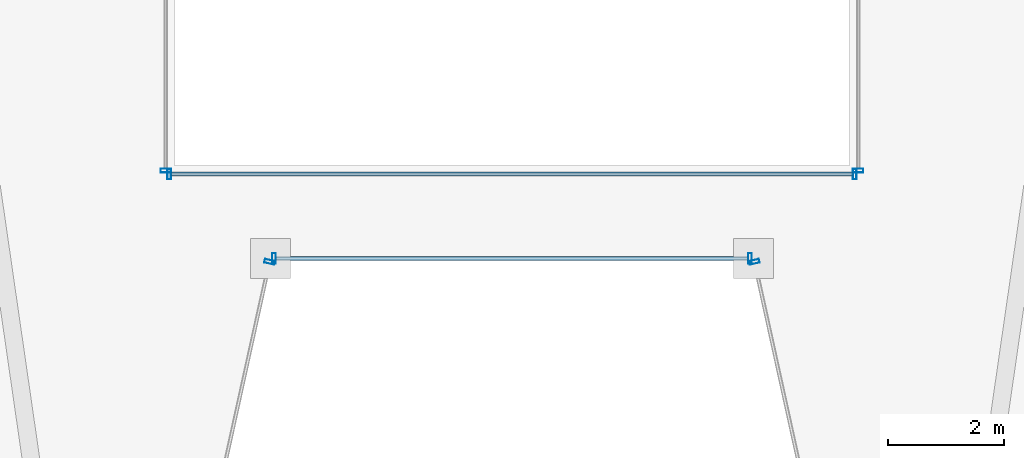
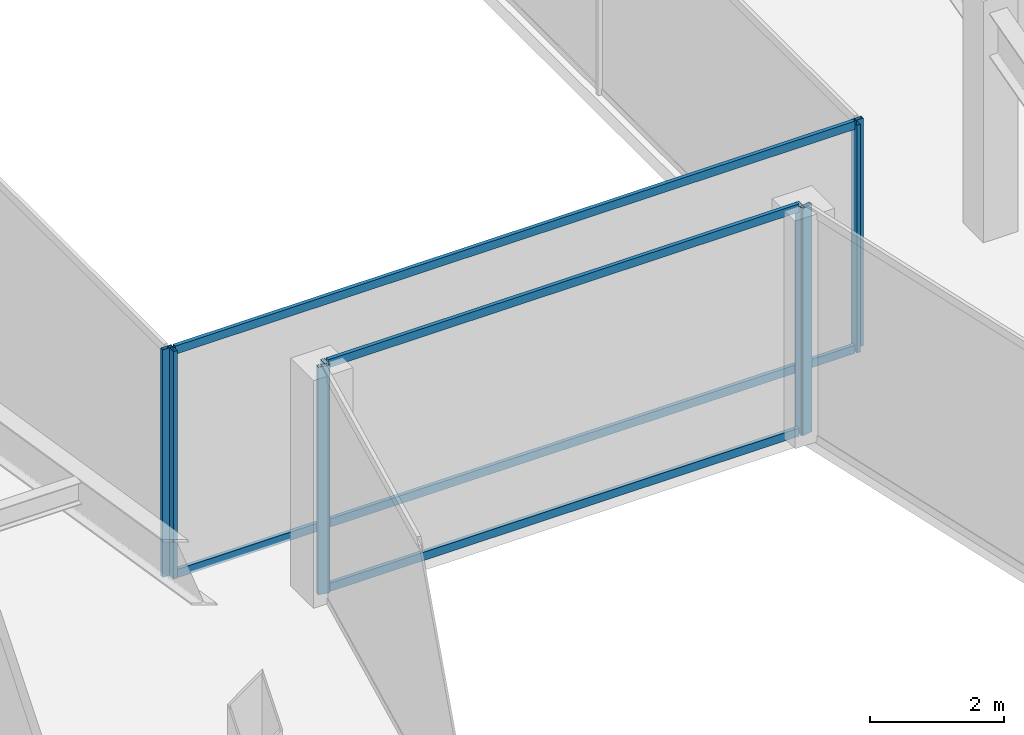
# One storey, part 7 of 37: 12 members, 6 elements without a shape of their own.
"""IFC4 building model written with IfcOpenShell, lengths in metres."""

import ifcopenshell
import ifcopenshell.guid

model = None  # the IFC model being written
_history = None  # IfcOwnerHistory: only IFC2X3 demands one
_inside = {}  # id of a spatial element -> (the spatial element, [elements in it])
_under = {}  # id of a project, library or spatial element -> (it, [spatial elements below it])
_declared = {}  # id of a project -> (the project, [libraries it declares])
_typed = {}  # id of a type object -> (the type object, [elements of that type])
_made_of = {}  # id of a material, layer set ... -> (it, [elements and type objects made of it])


def new_model(schema):
    """Start an empty IFC model of exactly this schema.

    Asked for "IFC4X3", IfcOpenShell would pick the latest addendum, in which some entities
    have other attributes; the version numbers below select the first issue.
    IFC2X3 requires an IfcOwnerHistory on every rooted entity: one is made here for all.
    """
    global model, _history
    if schema == "IFC4X3":
        model = ifcopenshell.file(schema_version=(4, 3, 0, 0))
    else:
        model = ifcopenshell.file(schema=schema)
    _inside.clear()
    _under.clear()
    _declared.clear()
    _typed.clear()
    _made_of.clear()
    _history = None
    if model.schema == "IFC2X3":
        org = make("IfcOrganization", Name="unknown")
        user = make(
            "IfcPersonAndOrganization",
            ThePerson=make("IfcPerson", FamilyName="unknown"),
            TheOrganization=org,
        )
        app = make(
            "IfcApplication",
            ApplicationDeveloper=org,
            Version="unknown",
            ApplicationFullName="unknown",
            ApplicationIdentifier="unknown",
        )
        _history = make(
            "IfcOwnerHistory",
            OwningUser=user,
            OwningApplication=app,
            ChangeAction="ADDED",
            CreationDate=0,
        )
    return model


def make(cls, **values):
    """One entity of the class cls with the attributes given. An attribute that is None is left unset."""
    return model.create_entity(
        cls, **{name: value for name, value in values.items() if value is not None}
    )


def rooted(cls, **values):
    """An entity with a GlobalId (a new one), such as an element, a storey or a relation."""
    return make(cls, GlobalId=ifcopenshell.guid.new(), OwnerHistory=_history, **values)


def si_unit(unit_type, name, prefix=None):
    """IfcSIUnit, for example si_unit("LENGTHUNIT", "METRE", prefix="MILLI")."""
    return make("IfcSIUnit", UnitType=unit_type, Prefix=prefix, Name=name)


def assignment(units):
    """IfcUnitAssignment: the units of a project."""
    return None if units is None else make("IfcUnitAssignment", Units=units)


def point(xyz):
    """IfcCartesianPoint."""
    return None if xyz is None else make("IfcCartesianPoint", Coordinates=xyz)


def direction(xyz):
    """IfcDirection."""
    return None if xyz is None else make("IfcDirection", DirectionRatios=xyz)


def frame(location, z_axis=None, x_axis=None):
    """IfcAxis2Placement3D, a coordinate frame: its origin and axes. An axis left out is left unset."""
    return make(
        "IfcAxis2Placement3D",
        Location=point(location),
        Axis=direction(z_axis),
        RefDirection=direction(x_axis),
    )


def frame_2d(location, x_axis=None):
    """IfcAxis2Placement2D, a coordinate frame in the plane: its origin and x axis."""
    return make(
        "IfcAxis2Placement2D", Location=point(location), RefDirection=direction(x_axis)
    )


def origin():
    """The frame at (0, 0, 0) with its axes left unset."""
    return frame((0.0, 0.0, 0.0))


def origin_2d():
    """The frame at (0, 0) in the plane with its x axis left unset."""
    return frame_2d((0.0, 0.0))


def place(relative_to, where):
    """IfcLocalPlacement: puts the frame where relative to a parent placement (None: the world)."""
    return make(
        "IfcLocalPlacement", PlacementRelTo=relative_to, RelativePlacement=where
    )


def context(
    kind, dimensions, precision=None, world=None, true_north=None, identifier=None
):
    """IfcGeometricRepresentationContext, for example the 3D "Model" context."""
    return make(
        "IfcGeometricRepresentationContext",
        ContextIdentifier=identifier,
        ContextType=kind,
        CoordinateSpaceDimension=dimensions,
        Precision=precision,
        WorldCoordinateSystem=world,
        TrueNorth=true_north,
    )


def subcontext(parent, identifier, kind, view, scale=None):
    """IfcGeometricRepresentationSubContext, for example "Body" below "Model"."""
    return make(
        "IfcGeometricRepresentationSubContext",
        ContextIdentifier=identifier,
        ContextType=kind,
        ParentContext=parent,
        TargetScale=scale,
        TargetView=view,
    )


def project(units=None, contexts=None):
    """IfcProject with its units and contexts."""
    return rooted(
        "IfcProject",
        Name="project",
        RepresentationContexts=contexts,
        UnitsInContext=assignment(units),
    )


def spatial(cls, under=None, at=None, **own):
    """A site, building, storey or space (cls), placed at a placement, below another one or the project."""
    s = rooted(cls, ObjectPlacement=at, **own)
    if under is not None:
        _under.setdefault(under.id(), (under, []))[1].append(s)
    return s


def profile(cls, at=None, kind="AREA", **sizes):
    """A parametric profile (cls). Its sizes go by their IFC names, for example OverallWidth=200.0."""
    return make(cls, ProfileType=kind, Position=at, **sizes)


def hollow_rectangle(**sizes):
    """IfcRectangleHollowProfileDef."""
    return profile("IfcRectangleHollowProfileDef", **sizes)


def extrude(swept, where, along, depth):
    """IfcExtrudedAreaSolid: the profile swept, set in the frame where, extruded along a direction by depth."""
    return make(
        "IfcExtrudedAreaSolid",
        SweptArea=swept,
        Position=where,
        ExtrudedDirection=direction(along),
        Depth=depth,
    )


def shape(context_of_items, identifier, shape_type, items):
    """IfcShapeRepresentation: the items that make up one representation, for example the "Body"."""
    return make(
        "IfcShapeRepresentation",
        ContextOfItems=context_of_items,
        RepresentationIdentifier=identifier,
        RepresentationType=shape_type,
        Items=items,
    )


def material(Name=None, Category=None):
    """IfcMaterial."""
    return make("IfcMaterial", Name=Name, Category=Category)


def material_profile(
    of_material, cross_section, Name=None, Category=None, Priority=None
):
    """IfcMaterialProfile: a cross section and its material."""
    return make(
        "IfcMaterialProfile",
        Name=Name,
        Material=of_material,
        Profile=cross_section,
        Priority=Priority,
        Category=Category,
    )


def profile_set(profiles, Name=None, composite=None):
    """IfcMaterialProfileSet."""
    return make(
        "IfcMaterialProfileSet",
        Name=Name,
        MaterialProfiles=profiles,
        CompositeProfile=composite,
    )


def made_of(thing, what):
    """Note that an element or type object is made of a material, layer set ...; save() writes the relation."""
    if what is not None:
        _made_of.setdefault(what.id(), (what, []))[1].append(thing)
    return thing


def type_object(cls, material=None, **own):
    """A type object (cls), such as IfcWallType, which elements share."""
    return made_of(rooted(cls, **own), material)


def element(
    cls,
    number,
    at=None,
    inside=None,
    cuts=None,
    type_object=None,
    material=None,
    context=None,
    identifier="Body",
    shape_type=None,
    held_by="IfcProductDefinitionShape",
    body=None,
    shapes=None,
    **own,
):
    """One element of the class cls, such as IfcWall. Its Tag is "e" and its number.

    at: its placement. inside: the storey or other place that contains it. cuts: it is an
    opening in that element (IfcRelVoidsElement). A single representation is given by context,
    identifier, shape_type and body (its items); several are given by shapes. held_by: the class
    of the entity that holds the representations. save() writes the other relations.
    """
    e = rooted(cls, Tag="e%d" % number, ObjectPlacement=at, **own)
    if body is not None:
        shapes = [shape(context, identifier, shape_type, body)]
    if shapes is not None:
        e.Representation = make(held_by, Representations=shapes)
    if inside is not None:
        _inside.setdefault(inside.id(), (inside, []))[1].append(e)
    if cuts is not None:
        rooted(
            "IfcRelVoidsElement", RelatingBuildingElement=cuts, RelatedOpeningElement=e
        )
    if type_object is not None:
        _typed.setdefault(type_object.id(), (type_object, []))[1].append(e)
    return made_of(e, material)


def aggregate(whole, parts):
    """IfcRelAggregates: a whole, such as a stair, and the parts it consists of."""
    return rooted("IfcRelAggregates", RelatingObject=whole, RelatedObjects=parts)


def save(model, path):
    """Write the relations noted so far, then the file.

    IfcRelAggregates (storeys below a building ...), IfcRelContainedInSpatialStructure (elements
    in a storey), IfcRelDefinesByType, IfcRelAssociatesMaterial and IfcRelDeclares: one each for
    every whole, place, type object, material and project.
    """
    for whole, parts in _under.values():
        aggregate(whole, parts)
    for where, things in _inside.values():
        rooted(
            "IfcRelContainedInSpatialStructure",
            RelatedElements=things,
            RelatingStructure=where,
        )
    for kind, things in _typed.values():
        rooted("IfcRelDefinesByType", RelatedObjects=things, RelatingType=kind)
    for what, things in _made_of.values():
        rooted("IfcRelAssociatesMaterial", RelatedObjects=things, RelatingMaterial=what)
    for by, libraries in _declared.values():
        rooted("IfcRelDeclares", RelatingContext=by, RelatedDefinitions=libraries)
    model.write(path)


model = new_model("IFC4")

# Units and contexts
model_context = context("Model", 3, precision=1e-05, world=origin(), true_north=direction((0.0, 1.0)))
body_context = subcontext(model_context, "Body", "Model", "MODEL_VIEW")
ifc_project = project(units=[si_unit("LENGTHUNIT", "METRE"), si_unit("AREAUNIT", "SQUARE_METRE"), si_unit("VOLUMEUNIT", "CUBIC_METRE"), si_unit("PLANEANGLEUNIT", "RADIAN"), si_unit("MASSUNIT", "GRAM", prefix="KILO")], contexts=[model_context])

# Site, building, storey
site_placement = place(None, origin())
site = spatial("IfcSite", under=ifc_project, at=site_placement, CompositionType="ELEMENT")
building_placement = place(site_placement, origin())
building = spatial("IfcBuilding", under=site, at=building_placement, Name="Saevonmaru Cultural Tower", CompositionType="ELEMENT")
storey_placement = place(building_placement, frame((0.0, 0.0, 114.800048828125)))
storey = spatial("IfcBuildingStorey", under=building, at=storey_placement, Name="L24", CompositionType="ELEMENT", Elevation=114.800048828125)

# Curtain wall, member
ifc_material = material(Name="Satin Bronze Anodised Aluminium", Category="aluminium")
curtain_wall_type_1 = type_object("IfcCurtainWallType", Name="CW-TYP-A", PredefinedType="NOTDEFINED", material=ifc_material)
curtain_wall_1_placement = place(storey_placement, origin())
curtain_wall_1 = element("IfcCurtainWall", 1, at=curtain_wall_1_placement, inside=storey, type_object=curtain_wall_type_1, Name="L24 Unitised Curtain Wall E3", PredefinedType="NOTDEFINED")
ifc_material_profile_1 = material_profile(ifc_material, hollow_rectangle(XDim=0.06494140625, YDim=0.179931640625, WallThickness=0.00390625, at=origin_2d()), Name="ALU-MULL-180x65x4")
ifc_profile_set_1 = profile_set([ifc_material_profile_1], Name="Satin Bronze Anodised Aluminium")
member_type_1 = type_object("IfcMemberType", Name="ML-CW-180x65", PredefinedType="MULLION", material=ifc_profile_set_1)
member_1_placement = place(storey_placement, frame((25.8359375, 20.741455078125, 0.0), z_axis=(0.0, 0.0, 1.0), x_axis=(0.215413319953, 0.976522965212, 0.0)))
member_1 = element("IfcMember", 2, at=member_1_placement, type_object=member_type_1, Name="CW-TW-L24-E3 mullion 2", PredefinedType="MULLION", context=body_context, shape_type="SweptSolid", body=[
    extrude(hollow_rectangle(XDim=0.06494140625, YDim=0.179931640625, WallThickness=0.00390625, at=origin_2d()), origin(), (0.0, 0.0, 1.0), 4.14990234375),
])
aggregate(curtain_wall_1, [member_1])

# Curtain wall, members
curtain_wall_2_placement = place(storey_placement, origin())
curtain_wall_2 = element("IfcCurtainWall", 3, at=curtain_wall_2_placement, inside=storey, type_object=curtain_wall_type_1, Name="L24 Unitised Curtain Wall E4", PredefinedType="NOTDEFINED")
member_2_placement = place(storey_placement, frame((25.908935546875, 20.800048828125, 0.0), z_axis=(0.0, 0.0, 1.0), x_axis=(1.0, 0.0, 0.0)))
member_2 = element("IfcMember", 4, at=member_2_placement, type_object=member_type_1, Name="CW-TW-L24-E4 mullion 1", PredefinedType="MULLION", context=body_context, shape_type="SweptSolid", body=[
    extrude(hollow_rectangle(XDim=0.06494140625, YDim=0.179931640625, WallThickness=0.00390625, at=origin_2d()), origin(), (0.0, 0.0, 1.0), 4.14990234375),
])
member_3_placement = place(storey_placement, frame((34.091064453125, 20.800048828125, 0.0), z_axis=(0.0, 0.0, 1.0), x_axis=(1.0, 0.0, 0.0)))
member_3 = element("IfcMember", 5, at=member_3_placement, type_object=member_type_1, Name="CW-TW-L24-E4 mullion 2", PredefinedType="MULLION", context=body_context, shape_type="SweptSolid", body=[
    extrude(hollow_rectangle(XDim=0.06494140625, YDim=0.179931640625, WallThickness=0.00390625, at=origin_2d()), origin(), (0.0, 0.0, 1.0), 4.14990234375),
])

# Curtain wall, member
curtain_wall_3_placement = place(storey_placement, origin())
curtain_wall_3 = element("IfcCurtainWall", 6, at=curtain_wall_3_placement, inside=storey, type_object=curtain_wall_type_1, Name="L24 Unitised Curtain Wall E5", PredefinedType="NOTDEFINED")
member_4_placement = place(storey_placement, frame((34.1640625, 20.741455078125, 0.0), z_axis=(0.0, 0.0, 1.0), x_axis=(0.215413319953, -0.976522965212, 0.0)))
member_4 = element("IfcMember", 7, at=member_4_placement, type_object=member_type_1, Name="CW-TW-L24-E5 mullion 1", PredefinedType="MULLION", context=body_context, shape_type="SweptSolid", body=[
    extrude(hollow_rectangle(XDim=0.06494140625, YDim=0.179931640625, WallThickness=0.00390625, at=origin_2d()), origin(), (0.0, 0.0, 1.0), 4.14990234375),
])
aggregate(curtain_wall_3, [member_4])

# Curtain wall, members
curtain_wall_type_2 = type_object("IfcCurtainWallType", Name="CW-ATR-GLZ", PredefinedType="NOTDEFINED", material=ifc_material)
curtain_wall_4_placement = place(storey_placement, origin())
curtain_wall_4 = element("IfcCurtainWall", 8, at=curtain_wall_4_placement, inside=storey, type_object=curtain_wall_type_2, Name="L24 Vertical Atrium Glazed Smoke Screen 1", PredefinedType="NOTDEFINED")
ifc_material_profile_2 = material_profile(ifc_material, hollow_rectangle(XDim=0.06494140625, YDim=0.179931640625, WallThickness=0.00390625, at=origin_2d()), Name="ALU-MULL-180x65x4")
ifc_profile_set_2 = profile_set([ifc_material_profile_2], Name="Satin Bronze Anodised Aluminium")
member_type_2 = type_object("IfcMemberType", Name="ML-CW-INT-180x65", PredefinedType="MULLION", material=ifc_profile_set_2)
member_5_placement = place(storey_placement, frame((24.110107421875, 22.25, 0.0), z_axis=(0.0, 0.0, 1.0), x_axis=(1.0, 0.0, 0.0)))
member_5 = element("IfcMember", 9, at=member_5_placement, type_object=member_type_2, Name="CW-ATR-L24-1 mullion 1", PredefinedType="MULLION", context=body_context, shape_type="SweptSolid", body=[
    extrude(hollow_rectangle(XDim=0.06494140625, YDim=0.179931640625, WallThickness=0.00390625, at=origin_2d()), origin(), (0.0, 0.0, 1.0), 4.14990234375),
])
member_6_placement = place(storey_placement, frame((35.889892578125, 22.25, 0.0), z_axis=(0.0, 0.0, 1.0), x_axis=(1.0, 0.0, 0.0)))
member_6 = element("IfcMember", 10, at=member_6_placement, type_object=member_type_2, Name="CW-ATR-L24-1 mullion 2", PredefinedType="MULLION", context=body_context, shape_type="SweptSolid", body=[
    extrude(hollow_rectangle(XDim=0.06494140625, YDim=0.179931640625, WallThickness=0.00390625, at=origin_2d()), origin(), (0.0, 0.0, 1.0), 4.14990234375),
])

# Curtain wall, member
curtain_wall_5_placement = place(storey_placement, origin())
curtain_wall_5 = element("IfcCurtainWall", 11, at=curtain_wall_5_placement, inside=storey, type_object=curtain_wall_type_2, Name="L24 Vertical Atrium Glazed Smoke Screen 2", PredefinedType="NOTDEFINED")
member_7_placement = place(storey_placement, frame((35.949951171875, 22.31005859375, 0.0), z_axis=(0.0, 0.0, 1.0), x_axis=(0.0, 1.0, 0.0)))
member_7 = element("IfcMember", 12, at=member_7_placement, type_object=member_type_2, Name="CW-ATR-L24-2 mullion 1", PredefinedType="MULLION", context=body_context, shape_type="SweptSolid", body=[
    extrude(hollow_rectangle(XDim=0.06494140625, YDim=0.179931640625, WallThickness=0.00390625, at=origin_2d()), origin(), (0.0, 0.0, 1.0), 4.14990234375),
])
aggregate(curtain_wall_5, [member_7])

curtain_wall_6_placement = place(storey_placement, origin())
curtain_wall_6 = element("IfcCurtainWall", 13, at=curtain_wall_6_placement, inside=storey, type_object=curtain_wall_type_2, Name="L24 Vertical Atrium Glazed Smoke Screen 4", PredefinedType="NOTDEFINED")
member_8_placement = place(storey_placement, frame((24.050048828125, 22.31005859375, 0.0), z_axis=(0.0, 0.0, 1.0), x_axis=(0.0, -1.0, 0.0)))
member_8 = element("IfcMember", 14, at=member_8_placement, type_object=member_type_2, Name="CW-ATR-L24-4 mullion 3", PredefinedType="MULLION", context=body_context, shape_type="SweptSolid", body=[
    extrude(hollow_rectangle(XDim=0.06494140625, YDim=0.179931640625, WallThickness=0.00390625, at=origin_2d()), origin(), (0.0, 0.0, 1.0), 4.14990234375),
])
aggregate(curtain_wall_6, [member_8])

# Member
ifc_material_profile_3 = material_profile(ifc_material, hollow_rectangle(XDim=0.06494140625, YDim=0.14990234375, WallThickness=0.00390625, at=origin_2d()), Name="ALU-TRAN-150x65x4")
ifc_profile_set_3 = profile_set([ifc_material_profile_3], Name="Satin Bronze Anodised Aluminium")
member_type_3 = type_object("IfcMemberType", Name="TR-CW-150x65", PredefinedType="USERDEFINED", material=ifc_profile_set_3)
member_9_placement = place(storey_placement, frame((25.94140625, 20.800048828125, 0.032470703125), z_axis=(1.0, 0.0, 0.0), x_axis=(0.0, 1.0, 0.0)))
member_9 = element("IfcMember", 15, at=member_9_placement, type_object=member_type_3, Name="CW-TW-L24-E4 transom 1.1", ObjectType="TRANSOM", PredefinedType="USERDEFINED", context=body_context, shape_type="SweptSolid", body=[
    extrude(hollow_rectangle(XDim=0.06494140625, YDim=0.14990234375, WallThickness=0.00390625, at=origin_2d()), origin(), (0.0, 0.0, 1.0), 8.1171875),
])

member_10_placement = place(storey_placement, frame((25.94140625, 20.800048828125, 4.117431640625), z_axis=(1.0, 0.0, 0.0), x_axis=(0.0, 1.0, 0.0)))
member_10 = element("IfcMember", 16, at=member_10_placement, type_object=member_type_3, Name="CW-TW-L24-E4 transom 1.2", ObjectType="TRANSOM", PredefinedType="USERDEFINED", context=body_context, shape_type="SweptSolid", body=[
    extrude(hollow_rectangle(XDim=0.06494140625, YDim=0.14990234375, WallThickness=0.00390625, at=origin_2d()), origin(), (0.0, 0.0, 1.0), 8.1171875),
])

aggregate(curtain_wall_2, [member_2, member_3, member_9, member_10])

ifc_material_profile_4 = material_profile(ifc_material, hollow_rectangle(XDim=0.06494140625, YDim=0.14990234375, WallThickness=0.00390625, at=origin_2d()), Name="ALU-TRAN-150x65x4")
ifc_profile_set_4 = profile_set([ifc_material_profile_4], Name="Satin Bronze Anodised Aluminium")
member_type_4 = type_object("IfcMemberType", Name="TR-CW-INT-150x65", PredefinedType="USERDEFINED", material=ifc_profile_set_4)
member_11_placement = place(storey_placement, frame((24.142578125, 22.25, 0.032470703125), z_axis=(1.0, 0.0, 0.0), x_axis=(0.0, 1.0, 0.0)))
member_11 = element("IfcMember", 17, at=member_11_placement, type_object=member_type_4, Name="CW-ATR-L24-1 transom 1.1", ObjectType="TRANSOM", PredefinedType="USERDEFINED", context=body_context, shape_type="SweptSolid", body=[
    extrude(hollow_rectangle(XDim=0.06494140625, YDim=0.14990234375, WallThickness=0.00390625, at=origin_2d()), origin(), (0.0, 0.0, 1.0), 11.71484375),
])

member_12_placement = place(storey_placement, frame((24.142578125, 22.25, 4.117431640625), z_axis=(1.0, 0.0, 0.0), x_axis=(0.0, 1.0, 0.0)))
member_12 = element("IfcMember", 18, at=member_12_placement, type_object=member_type_4, Name="CW-ATR-L24-1 transom 1.2", ObjectType="TRANSOM", PredefinedType="USERDEFINED", context=body_context, shape_type="SweptSolid", body=[
    extrude(hollow_rectangle(XDim=0.06494140625, YDim=0.14990234375, WallThickness=0.00390625, at=origin_2d()), origin(), (0.0, 0.0, 1.0), 11.71484375),
])

aggregate(curtain_wall_4, [member_5, member_6, member_11, member_12])

save(model, "model.ifc")
